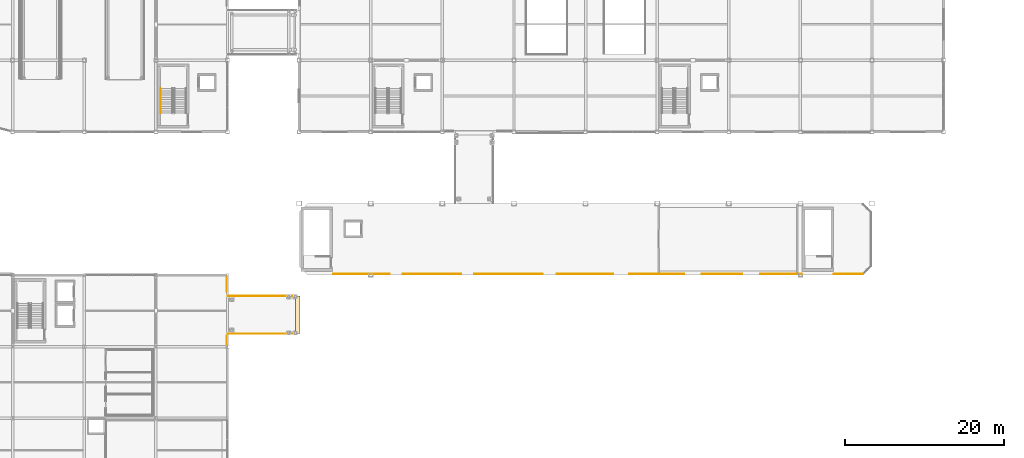
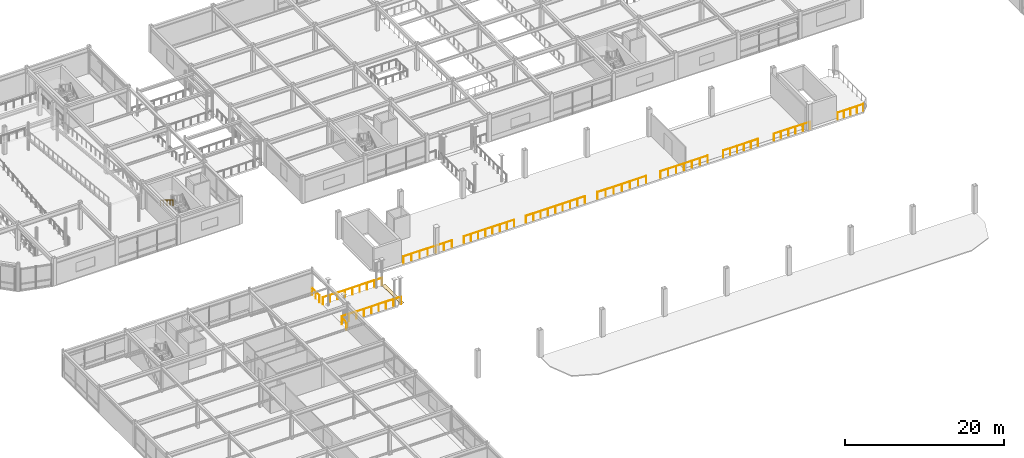
# One storey, part 92 of 105: 13 railings, 1 covering.
"""IFC4 building model written with IfcOpenShell, lengths in metres."""

from ifc_helpers import new_model, si_unit, direction, frame, origin, origin_2d, place, context, subcontext, project, spatial, polyline, circle, outline, extrude, material, layer, layer_set, type_object, element, save


model = new_model("IFC4")

# Units and contexts
model_context = context("Model", 3, precision=1e-05, world=origin(), true_north=direction((0.0, 1.0)))
body_context = subcontext(model_context, "Body", "Model", "MODEL_VIEW")
ifc_project = project(units=[si_unit("LENGTHUNIT", "METRE"), si_unit("AREAUNIT", "SQUARE_METRE"), si_unit("VOLUMEUNIT", "CUBIC_METRE"), si_unit("PLANEANGLEUNIT", "RADIAN"), si_unit("MASSUNIT", "GRAM", prefix="KILO")], contexts=[model_context])

# Site, building, storey
site_placement = place(None, origin())
site = spatial("IfcSite", under=ifc_project, at=site_placement, CompositionType="ELEMENT")
building_placement = place(site_placement, origin())
building = spatial("IfcBuilding", under=site, at=building_placement, Name="Suzunagisa Mobility Hub", CompositionType="ELEMENT")
storey_placement = place(building_placement, frame((0.0, 0.0, 5.10009765625)))
storey = spatial("IfcBuildingStorey", under=building, at=storey_placement, Name="L01", CompositionType="ELEMENT", Elevation=5.10009765625)

# Railings
ifc_material_1 = material(Name="Stainless Steel SUS304", Category="metal")
railing_type_1 = type_object("IfcRailingType", Name="Interior Well Guardrail IGR-01", PredefinedType="GUARDRAIL", material=ifc_material_1)
railing_1_placement = place(storey_placement, frame((49.300048828125, 62.1201171875, 0.0)))
element("IfcRailing", 1, at=railing_1_placement, inside=storey, type_object=railing_type_1, Name="L01 Concourse Mezzanine Overlook Guardrail MG-3", PredefinedType="GUARDRAIL", context=body_context, shape_type="SweptSolid", body=[
    extrude(circle(Radius=0.02392578125, at=origin_2d()), frame((0.0, 0.0, 1.09619140625), z_axis=(1.0, 0.0, 0.0), x_axis=(0.0, 1.0, 0.0)), (0.0, 0.0, 1.0), 7.050048828125),
    extrude(circle(Radius=0.02099609375, at=origin_2d()), origin(), (0.0, 0.0, 1.0), 1.072021484375),
    extrude(circle(Radius=0.02099609375, at=origin_2d()), frame((1.175048828125, 0.0, 0.0)), (0.0, 0.0, 1.0), 1.072021484375),
    extrude(circle(Radius=0.02099609375, at=origin_2d()), frame((2.35009765625, 0.0, 0.0)), (0.0, 0.0, 1.0), 1.072021484375),
    extrude(circle(Radius=0.02099609375, at=origin_2d()), frame((3.52490234375, 0.0, 0.0)), (0.0, 0.0, 1.0), 1.072021484375),
    extrude(circle(Radius=0.02099609375, at=origin_2d()), frame((4.699951171875, 0.0, 0.0)), (0.0, 0.0, 1.0), 1.072021484375),
    extrude(circle(Radius=0.02099609375, at=origin_2d()), frame((5.875, 0.0, 0.0)), (0.0, 0.0, 1.0), 1.072021484375),
    extrude(circle(Radius=0.02099609375, at=origin_2d()), frame((7.050048828125, 0.0, 0.0)), (0.0, 0.0, 1.0), 1.072021484375),
])
railing_2_placement = place(storey_placement, frame((58.050048828125, 62.1201171875, 0.0)))
element("IfcRailing", 2, at=railing_2_placement, inside=storey, type_object=railing_type_1, Name="L01 Concourse Mezzanine Overlook Guardrail MG-4", PredefinedType="GUARDRAIL", context=body_context, shape_type="SweptSolid", body=[
    extrude(circle(Radius=0.02392578125, at=origin_2d()), frame((0.0, 0.0, 1.09619140625), z_axis=(1.0, 0.0, 0.0), x_axis=(0.0, 1.0, 0.0)), (0.0, 0.0, 1.0), 7.300048828125),
    extrude(circle(Radius=0.02099609375, at=origin_2d()), origin(), (0.0, 0.0, 1.0), 1.072021484375),
    extrude(circle(Radius=0.02099609375, at=origin_2d()), frame((1.04296875, 0.0, 0.0)), (0.0, 0.0, 1.0), 1.072021484375),
    extrude(circle(Radius=0.02099609375, at=origin_2d()), frame((2.085693359375, 0.0, 0.0)), (0.0, 0.0, 1.0), 1.072021484375),
    extrude(circle(Radius=0.02099609375, at=origin_2d()), frame((3.128662109375, 0.0, 0.0)), (0.0, 0.0, 1.0), 1.072021484375),
    extrude(circle(Radius=0.02099609375, at=origin_2d()), frame((4.17138671875, 0.0, 0.0)), (0.0, 0.0, 1.0), 1.072021484375),
    extrude(circle(Radius=0.02099609375, at=origin_2d()), frame((5.21435546875, 0.0, 0.0)), (0.0, 0.0, 1.0), 1.072021484375),
    extrude(circle(Radius=0.02099609375, at=origin_2d()), frame((6.257080078125, 0.0, 0.0)), (0.0, 0.0, 1.0), 1.072021484375),
    extrude(circle(Radius=0.02099609375, at=origin_2d()), frame((7.300048828125, 0.0, 0.0)), (0.0, 0.0, 1.0), 1.072021484375),
])
railing_3_placement = place(storey_placement, frame((67.050048828125, 62.1201171875, 0.0)))
element("IfcRailing", 3, at=railing_3_placement, inside=storey, type_object=railing_type_1, Name="L01 Concourse Mezzanine Overlook Guardrail MG-5", PredefinedType="GUARDRAIL", context=body_context, shape_type="SweptSolid", body=[
    extrude(circle(Radius=0.02392578125, at=origin_2d()), frame((0.0, 0.0, 1.09619140625), z_axis=(1.0, 0.0, 0.0), x_axis=(0.0, 1.0, 0.0)), (0.0, 0.0, 1.0), 8.535888671875),
    extrude(circle(Radius=0.02099609375, at=origin_2d()), origin(), (0.0, 0.0, 1.0), 1.072021484375),
    extrude(circle(Radius=0.02099609375, at=origin_2d()), frame((1.06689453125, 0.0, 0.0)), (0.0, 0.0, 1.0), 1.072021484375),
    extrude(circle(Radius=0.02099609375, at=origin_2d()), frame((2.134033203125, 0.0, 0.0)), (0.0, 0.0, 1.0), 1.072021484375),
    extrude(circle(Radius=0.02099609375, at=origin_2d()), frame((3.200927734375, 0.0, 0.0)), (0.0, 0.0, 1.0), 1.072021484375),
    extrude(circle(Radius=0.02099609375, at=origin_2d()), frame((4.26806640625, 0.0, 0.0)), (0.0, 0.0, 1.0), 1.072021484375),
    extrude(circle(Radius=0.02099609375, at=origin_2d()), frame((5.3349609375, 0.0, 0.0)), (0.0, 0.0, 1.0), 1.072021484375),
    extrude(circle(Radius=0.02099609375, at=origin_2d()), frame((6.40185546875, 0.0, 0.0)), (0.0, 0.0, 1.0), 1.072021484375),
    extrude(circle(Radius=0.02099609375, at=origin_2d()), frame((7.468994140625, 0.0, 0.0)), (0.0, 0.0, 1.0), 1.072021484375),
    extrude(circle(Radius=0.02099609375, at=origin_2d()), frame((8.535888671875, 0.0, 0.0)), (0.0, 0.0, 1.0), 1.072021484375),
])
railing_4_placement = place(storey_placement, frame((77.4140625, 62.1201171875, 0.0)))
element("IfcRailing", 4, at=railing_4_placement, inside=storey, type_object=railing_type_1, Name="L01 Concourse Mezzanine Overlook Guardrail MG-6", PredefinedType="GUARDRAIL", context=body_context, shape_type="SweptSolid", body=[
    extrude(circle(Radius=0.02392578125, at=origin_2d()), frame((0.0, 0.0, 1.09619140625), z_axis=(1.0, 0.0, 0.0), x_axis=(0.0, 1.0, 0.0)), (0.0, 0.0, 1.0), 7.06396484375),
    extrude(circle(Radius=0.02099609375, at=origin_2d()), origin(), (0.0, 0.0, 1.0), 1.072021484375),
    extrude(circle(Radius=0.02099609375, at=origin_2d()), frame((1.17724609375, 0.0, 0.0)), (0.0, 0.0, 1.0), 1.072021484375),
    extrude(circle(Radius=0.02099609375, at=origin_2d()), frame((2.354736328125, 0.0, 0.0)), (0.0, 0.0, 1.0), 1.072021484375),
    extrude(circle(Radius=0.02099609375, at=origin_2d()), frame((3.531982421875, 0.0, 0.0)), (0.0, 0.0, 1.0), 1.072021484375),
    extrude(circle(Radius=0.02099609375, at=origin_2d()), frame((4.709228515625, 0.0, 0.0)), (0.0, 0.0, 1.0), 1.072021484375),
    extrude(circle(Radius=0.02099609375, at=origin_2d()), frame((5.88671875, 0.0, 0.0)), (0.0, 0.0, 1.0), 1.072021484375),
    extrude(circle(Radius=0.02099609375, at=origin_2d()), frame((7.06396484375, 0.0, 0.0)), (0.0, 0.0, 1.0), 1.072021484375),
])
railing_5_placement = place(storey_placement, frame((86.52197265625, 62.1201171875, 0.0)))
element("IfcRailing", 5, at=railing_5_placement, inside=storey, type_object=railing_type_1, Name="L01 Concourse Mezzanine Overlook Guardrail MG-7", PredefinedType="GUARDRAIL", context=body_context, shape_type="SweptSolid", body=[
    extrude(circle(Radius=0.02392578125, at=origin_2d()), frame((0.0, 0.0, 1.09619140625), z_axis=(1.0, 0.0, 0.0), x_axis=(0.0, 1.0, 0.0)), (0.0, 0.0, 1.0), 6.84814453125),
    extrude(circle(Radius=0.02099609375, at=origin_2d()), origin(), (0.0, 0.0, 1.0), 1.072021484375),
    extrude(circle(Radius=0.02099609375, at=origin_2d()), frame((1.141357421875, 0.0, 0.0)), (0.0, 0.0, 1.0), 1.072021484375),
    extrude(circle(Radius=0.02099609375, at=origin_2d()), frame((2.28271484375, 0.0, 0.0)), (0.0, 0.0, 1.0), 1.072021484375),
    extrude(circle(Radius=0.02099609375, at=origin_2d()), frame((3.424072265625, 0.0, 0.0)), (0.0, 0.0, 1.0), 1.072021484375),
    extrude(circle(Radius=0.02099609375, at=origin_2d()), frame((4.5654296875, 0.0, 0.0)), (0.0, 0.0, 1.0), 1.072021484375),
    extrude(circle(Radius=0.02099609375, at=origin_2d()), frame((5.706787109375, 0.0, 0.0)), (0.0, 0.0, 1.0), 1.072021484375),
    extrude(circle(Radius=0.02099609375, at=origin_2d()), frame((6.84814453125, 0.0, 0.0)), (0.0, 0.0, 1.0), 1.072021484375),
])
railing_6_placement = place(storey_placement, frame((95.6298828125, 62.1201171875, 0.0)))
element("IfcRailing", 6, at=railing_6_placement, inside=storey, type_object=railing_type_1, Name="L01 Concourse Mezzanine Overlook Guardrail MG-8", PredefinedType="GUARDRAIL", context=body_context, shape_type="SweptSolid", body=[
    extrude(circle(Radius=0.02392578125, at=origin_2d()), frame((0.0, 0.0, 1.09619140625), z_axis=(1.0, 0.0, 0.0), x_axis=(0.0, 1.0, 0.0)), (0.0, 0.0, 1.0), 5.02001953125),
    extrude(circle(Radius=0.02099609375, at=origin_2d()), origin(), (0.0, 0.0, 1.0), 1.072021484375),
    extrude(circle(Radius=0.02099609375, at=origin_2d()), frame((1.00390625, 0.0, 0.0)), (0.0, 0.0, 1.0), 1.072021484375),
    extrude(circle(Radius=0.02099609375, at=origin_2d()), frame((2.008056640625, 0.0, 0.0)), (0.0, 0.0, 1.0), 1.072021484375),
    extrude(circle(Radius=0.02099609375, at=origin_2d()), frame((3.011962890625, 0.0, 0.0)), (0.0, 0.0, 1.0), 1.072021484375),
    extrude(circle(Radius=0.02099609375, at=origin_2d()), frame((4.01611328125, 0.0, 0.0)), (0.0, 0.0, 1.0), 1.072021484375),
    extrude(circle(Radius=0.02099609375, at=origin_2d()), frame((5.02001953125, 0.0, 0.0)), (0.0, 0.0, 1.0), 1.072021484375),
])
railing_7_placement = place(storey_placement, frame((102.949951171875, 62.1201171875, 0.0)))
element("IfcRailing", 7, at=railing_7_placement, inside=storey, type_object=railing_type_1, Name="L01 Concourse Mezzanine Overlook Guardrail MG-9", PredefinedType="GUARDRAIL", context=body_context, shape_type="SweptSolid", body=[
    extrude(circle(Radius=0.02392578125, at=origin_2d()), frame((0.0, 0.0, 1.09619140625), z_axis=(1.0, 0.0, 0.0), x_axis=(0.0, 1.0, 0.0)), (0.0, 0.0, 1.0), 5.25),
    extrude(circle(Radius=0.02099609375, at=origin_2d()), origin(), (0.0, 0.0, 1.0), 1.072021484375),
    extrude(circle(Radius=0.02099609375, at=origin_2d()), frame((1.050048828125, 0.0, 0.0)), (0.0, 0.0, 1.0), 1.072021484375),
    extrude(circle(Radius=0.02099609375, at=origin_2d()), frame((2.10009765625, 0.0, 0.0)), (0.0, 0.0, 1.0), 1.072021484375),
    extrude(circle(Radius=0.02099609375, at=origin_2d()), frame((3.14990234375, 0.0, 0.0)), (0.0, 0.0, 1.0), 1.072021484375),
    extrude(circle(Radius=0.02099609375, at=origin_2d()), frame((4.199951171875, 0.0, 0.0)), (0.0, 0.0, 1.0), 1.072021484375),
    extrude(circle(Radius=0.02099609375, at=origin_2d()), frame((5.25, 0.0, 0.0)), (0.0, 0.0, 1.0), 1.072021484375),
])
railing_8_placement = place(storey_placement, frame((112.199951171875, 62.1201171875, 0.0)))
element("IfcRailing", 8, at=railing_8_placement, inside=storey, type_object=railing_type_1, Name="L01 Concourse Mezzanine Overlook Guardrail MG-10", PredefinedType="GUARDRAIL", context=body_context, shape_type="SweptSolid", body=[
    extrude(circle(Radius=0.02392578125, at=origin_2d()), frame((0.0, 0.0, 1.09619140625), z_axis=(1.0, 0.0, 0.0), x_axis=(0.0, 1.0, 0.0)), (0.0, 0.0, 1.0), 3.699951171875),
    extrude(circle(Radius=0.02099609375, at=origin_2d()), origin(), (0.0, 0.0, 1.0), 1.072021484375),
    extrude(circle(Radius=0.02099609375, at=origin_2d()), frame((0.925048828125, 0.0, 0.0)), (0.0, 0.0, 1.0), 1.072021484375),
    extrude(circle(Radius=0.02099609375, at=origin_2d()), frame((1.85009765625, 0.0, 0.0)), (0.0, 0.0, 1.0), 1.072021484375),
    extrude(circle(Radius=0.02099609375, at=origin_2d()), frame((2.77490234375, 0.0, 0.0)), (0.0, 0.0, 1.0), 1.072021484375),
    extrude(circle(Radius=0.02099609375, at=origin_2d()), frame((3.699951171875, 0.0, 0.0)), (0.0, 0.0, 1.0), 1.072021484375),
])

# Covering
ifc_material_2 = material(Name="Polished Aggregate Terrazzo Finish")
ifc_layer = layer(ifc_material_2, 0.02001953125)
ifc_layer_set = layer_set([ifc_layer], Name="Polished Aggregate Terrazzo Finish")
covering_type = type_object("IfcCoveringType", Name="Polished Terrazzo Heavy-Traffic Flooring FLR-01", PredefinedType="FLOORING", material=ifc_layer_set)
covering_placement = place(storey_placement, frame((0.0, 0.0, -0.02001953125)))
element("IfcCovering", 9, at=covering_placement, inside=storey, type_object=covering_type, Name="L01 Flush Hinged Seismic Threshold Plate SB-01", PredefinedType="FLOORING", context=body_context, shape_type="SweptSolid", body=[
    extrude(outline(polyline([(44.570068359375, 54.64990234375), (45.080078125, 54.64990234375), (45.080078125, 59.35009765625), (44.570068359375, 59.35009765625), (44.570068359375, 54.64990234375)])), origin(), (0.0, 0.0, 1.0), 0.02001953125),
])

# Railings
ifc_material_3 = material(Name="Anodized Aluminum and Stainless Steel SUS316", Category="metal")
railing_type_2 = type_object("IfcRailingType", Name="Streamline Ship-Deck Tubular Balustrade BL-01", PredefinedType="BALUSTRADE", material=ifc_material_3)
railing_9_placement = place(storey_placement, frame((35.89990234375, 53.199951171875, 0.0)))
element("IfcRailing", 10, at=railing_9_placement, inside=storey, type_object=railing_type_2, Name="L01 Skybridge Threshold Side Guardrail BSG-1", PredefinedType="BALUSTRADE", context=body_context, shape_type="SweptSolid", body=[
    extrude(circle(Radius=0.02392578125, at=origin_2d()), frame((0.0, 0.0, 1.11572265625), z_axis=(0.0, 1.0, 0.0), x_axis=(-1.0, 0.0, 0.0)), (0.0, 0.0, 1.0), 1.179931640625),
    extrude(circle(Radius=0.02099609375, at=origin_2d()), origin(), (0.0, 0.0, 1.0), 1.091796875),
    extrude(circle(Radius=0.02099609375, at=origin_2d()), frame((0.0, 1.179931640625, 0.0)), (0.0, 0.0, 1.0), 1.091796875),
])
railing_10_placement = place(storey_placement, frame((35.89990234375, 59.949951171875, 0.0)))
element("IfcRailing", 11, at=railing_10_placement, inside=storey, type_object=railing_type_2, Name="L01 Skybridge Threshold Side Guardrail BSG-2", PredefinedType="BALUSTRADE", context=body_context, shape_type="SweptSolid", body=[
    extrude(circle(Radius=0.02392578125, at=origin_2d()), frame((0.0, 0.0, 1.11572265625), z_axis=(0.0, 1.0, 0.0), x_axis=(-1.0, 0.0, 0.0)), (0.0, 0.0, 1.0), 1.900146484375),
    extrude(circle(Radius=0.02099609375, at=origin_2d()), origin(), (0.0, 0.0, 1.0), 1.091796875),
    extrude(circle(Radius=0.02099609375, at=origin_2d()), frame((0.0, 0.9501953125, 0.0)), (0.0, 0.0, 1.0), 1.091796875),
    extrude(circle(Radius=0.02099609375, at=origin_2d()), frame((0.0, 1.900146484375, 0.0)), (0.0, 0.0, 1.0), 1.091796875),
])
for number, where, name in (
    (12, (36.050048828125, 54.6201171875, 0.0), "L01 Bridge Edge Guardrail SB-01-59"),
    (13, (36.050048828125, 59.3798828125, 0.0), "L01 Bridge Edge Guardrail SB-01-60"),
):
    element("IfcRailing", number, at=place(storey_placement, frame(where)), inside=storey, type_object=railing_type_2, Name=name, PredefinedType="BALUSTRADE", context=body_context, shape_type="SweptSolid", body=[
        extrude(circle(Radius=0.02392578125, at=origin_2d()), frame((0.0, 0.0, 1.11572265625), z_axis=(1.0, 0.0, 0.0), x_axis=(0.0, 1.0, 0.0)), (0.0, 0.0, 1.0), 8.550048828125),
        extrude(circle(Radius=0.02099609375, at=origin_2d()), origin(), (0.0, 0.0, 1.0), 1.091796875),
        extrude(circle(Radius=0.02099609375, at=origin_2d()), frame((1.06884765625, 0.0, 0.0)), (0.0, 0.0, 1.0), 1.091796875),
        extrude(circle(Radius=0.02099609375, at=origin_2d()), frame((2.137451171875, 0.0, 0.0)), (0.0, 0.0, 1.0), 1.091796875),
        extrude(circle(Radius=0.02099609375, at=origin_2d()), frame((3.206298828125, 0.0, 0.0)), (0.0, 0.0, 1.0), 1.091796875),
        extrude(circle(Radius=0.02099609375, at=origin_2d()), frame((4.27490234375, 0.0, 0.0)), (0.0, 0.0, 1.0), 1.091796875),
        extrude(circle(Radius=0.02099609375, at=origin_2d()), frame((5.34375, 0.0, 0.0)), (0.0, 0.0, 1.0), 1.091796875),
        extrude(circle(Radius=0.02099609375, at=origin_2d()), frame((6.41259765625, 0.0, 0.0)), (0.0, 0.0, 1.0), 1.091796875),
        extrude(circle(Radius=0.02099609375, at=origin_2d()), frame((7.481201171875, 0.0, 0.0)), (0.0, 0.0, 1.0), 1.091796875),
        extrude(circle(Radius=0.02099609375, at=origin_2d()), frame((8.550048828125, 0.0, 0.0)), (0.0, 0.0, 1.0), 1.091796875),
    ])
railing_type_3 = type_object("IfcRailingType", Name="Tubular Stainless Stair Handrail IHR-01", PredefinedType="HANDRAIL", material=ifc_material_1)
railing_11_placement = place(storey_placement, frame((27.610107421875, 85.43994140625, 2.27490234375)))
element("IfcRailing", 14, at=railing_11_placement, inside=storey, type_object=railing_type_3, Name="L01 ST-05 stair handrail 2", PredefinedType="HANDRAIL", context=body_context, shape_type="SweptSolid", body=[
    extrude(circle(Radius=0.02392578125, at=origin_2d()), frame((0.0, 0.0, 0.8759765625), z_axis=(0.0, -0.847979421464, 0.530029150871), x_axis=(1.0, 0.0, 0.0)), (0.0, 0.0, 1.0), 3.632080078125),
    extrude(circle(Radius=0.02099609375, at=origin_2d()), origin(), (0.0, 0.0, 1.0), 0.851806640625),
    extrude(circle(Radius=0.02099609375, at=origin_2d()), frame((0.0, -0.77001953125, 0.481201171875)), (0.0, 0.0, 1.0), 0.851806640625),
    extrude(circle(Radius=0.02099609375, at=origin_2d()), frame((0.0, -1.5400390625, 0.96240234375)), (0.0, 0.0, 1.0), 0.851806640625),
    extrude(circle(Radius=0.02099609375, at=origin_2d()), frame((0.0, -2.309814453125, 1.44384765625)), (0.0, 0.0, 1.0), 0.851806640625),
    extrude(circle(Radius=0.02099609375, at=origin_2d()), frame((0.0, -3.079833984375, 1.925048828125)), (0.0, 0.0, 1.0), 0.851806640625),
])

save(model, "model.ifc")
